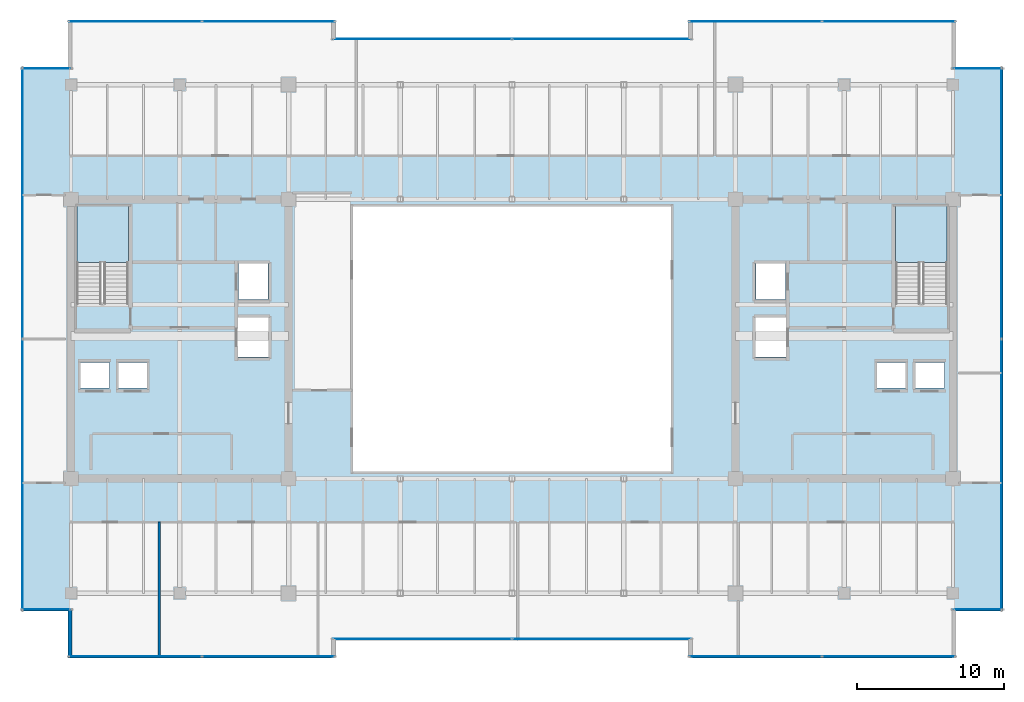
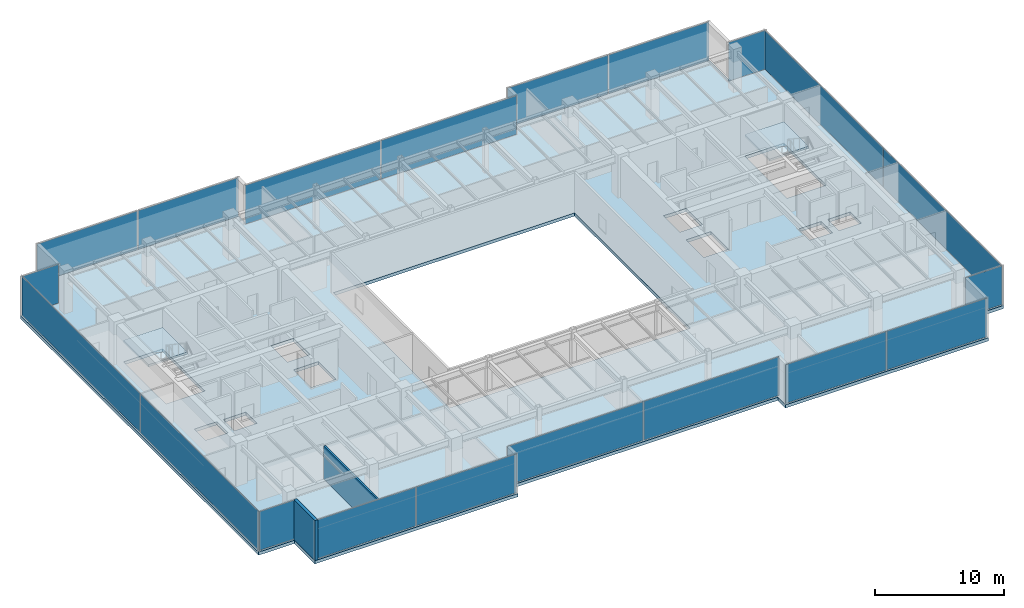
# One storey, part 27 of 36: 20 plates, 3 slabs, 2 walls, 14 elements without a shape of their own.
"""IFC4 building model written with IfcOpenShell, lengths in metres."""

from ifc_helpers import new_model, si_unit, direction, frame, frame_2d, origin, origin_2d, place, context, subcontext, project, spatial, polyline, rectangle, outline, extrude, source, transform, mapped, material, layer, layer_set, type_object, type_shapes, element, aggregate, save


model = new_model("IFC4")

# Units and contexts
model_context = context("Model", 3, precision=1e-05, world=origin(), true_north=direction((0.0, 1.0)))
body_context = subcontext(model_context, "Body", "Model", "MODEL_VIEW")
ifc_project = project(units=[si_unit("LENGTHUNIT", "METRE"), si_unit("AREAUNIT", "SQUARE_METRE"), si_unit("VOLUMEUNIT", "CUBIC_METRE"), si_unit("PLANEANGLEUNIT", "RADIAN"), si_unit("MASSUNIT", "GRAM", prefix="KILO")], contexts=[model_context])

# Site, building, storey
site_placement = place(None, origin())
site = spatial("IfcSite", under=ifc_project, at=site_placement, CompositionType="ELEMENT")
building_placement = place(site_placement, origin())
building = spatial("IfcBuilding", under=site, at=building_placement, Name="Haelvirn Gate Laboratories", CompositionType="ELEMENT")
storey_placement = place(building_placement, frame((0.0, 0.0, 262.89990234375)))
storey = spatial("IfcBuildingStorey", under=building, at=storey_placement, Name="L63", CompositionType="ELEMENT", Elevation=262.89990234375)

# Stair, slab
ifc_material_1 = material(Name="Concrete C40/50", Category="concrete")
stair_type = type_object("IfcStairType", Name="ST-DOG-1650-R22", PredefinedType="HALF_TURN_STAIR", material=ifc_material_1)
stair_1_placement = place(storey_placement, origin())
stair_1 = element("IfcStair", 1, at=stair_1_placement, inside=storey, type_object=stair_type, Name="L63 Escape Stair ST1", PredefinedType="HALF_TURN_STAIR")
ifc_layer_1 = layer(ifc_material_1, 0.199951171875, Name="SL-STAIR-LND")
ifc_layer_set_1 = layer_set([ifc_layer_1], Name="Concrete C40/50")
slab_type_1 = type_object("IfcSlabType", Name="SL-STAIR-LND", PredefinedType="LANDING", material=ifc_layer_set_1)
slab_1_placement = place(storey_placement, frame((0.0, 0.0, 1.85009765625)))
slab_1 = element("IfcSlab", 2, at=slab_1_placement, type_object=slab_type_1, Name="ST1 landing 1", PredefinedType="LANDING", context=body_context, shape_type="SweptSolid", body=[
    extrude(outline(polyline([(11.300048828125, 29.5), (11.300048828125, 33.35009765625), (7.800048828125, 33.35009765625), (7.800048828125, 29.5), (11.300048828125, 29.5)])), origin(), (0.0, 0.0, 1.0), 0.199951171875),
])
aggregate(stair_1, [slab_1])

stair_2_placement = place(storey_placement, origin())
stair_2 = element("IfcStair", 3, at=stair_2_placement, inside=storey, type_object=stair_type, Name="L63 Escape Stair ST2", PredefinedType="HALF_TURN_STAIR")
slab_2_placement = place(storey_placement, frame((0.0, 0.0, 1.85009765625)))
slab_2 = element("IfcSlab", 4, at=slab_2_placement, type_object=slab_type_1, Name="ST2 landing 1", PredefinedType="LANDING", context=body_context, shape_type="SweptSolid", body=[
    extrude(outline(polyline([(67.0, 29.5), (67.0, 33.35009765625), (63.5, 33.35009765625), (63.5, 29.5), (67.0, 29.5)])), origin(), (0.0, 0.0, 1.0), 0.199951171875),
])
aggregate(stair_2, [slab_2])

# Slab
ifc_layer_2 = layer(ifc_material_1, 0.300048828125, Name="SL-Z3-300")
ifc_layer_set_2 = layer_set([ifc_layer_2], Name="Concrete C40/50")
slab_type_2 = type_object("IfcSlabType", Name="SL-Z3-300", PredefinedType="FLOOR", material=ifc_layer_set_2)
slab_3_placement = place(storey_placement, frame((0.0, 0.0, -0.2998046875)))
element("IfcSlab", 5, at=slab_3_placement, inside=storey, type_object=slab_type_2, Name="L63 Structural Slab MAIN", PredefinedType="FLOOR", context=body_context, shape_type="SweptSolid", body=[
    extrude(outline(polyline([(7.199951171875, 2.60009765625), (25.39990234375, 2.60009765625), (25.39990234375, 3.800048828125), (49.39990234375, 3.800048828125), (49.39990234375, 2.60009765625), (67.60009765625, 2.60009765625), (67.60009765625, 5.800048828125), (70.800048828125, 5.800048828125), (70.800048828125, 42.800048828125), (67.60009765625, 42.800048828125), (67.60009765625, 46.0), (49.39990234375, 46.0), (49.39990234375, 44.800048828125), (25.39990234375, 44.800048828125), (25.39990234375, 46.0), (7.199951171875, 46.0), (7.199951171875, 42.800048828125), (4.0, 42.800048828125), (4.0, 5.800048828125), (7.199951171875, 5.800048828125), (7.199951171875, 2.60009765625)]), holes=[polyline([(26.60009765625, 15.300048828125), (48.199951171875, 15.300048828125), (48.199951171875, 33.300048828125), (26.60009765625, 33.300048828125), (26.60009765625, 15.300048828125)]), polyline([(11.300048828125, 26.780029296875), (11.300048828125, 33.35009765625), (7.800048828125, 33.35009765625), (7.800048828125, 26.780029296875), (11.300048828125, 26.780029296875)]), polyline([(67.0, 26.780029296875), (67.0, 33.35009765625), (63.5, 33.35009765625), (63.5, 26.780029296875), (67.0, 26.780029296875)]), polyline([(7.989990234375, 20.969970703125), (10.010009765625, 20.969970703125), (10.010009765625, 22.7099609375), (7.989990234375, 22.7099609375), (7.989990234375, 20.969970703125)]), polyline([(10.590087890625, 20.969970703125), (12.610107421875, 20.969970703125), (12.610107421875, 22.7099609375), (10.590087890625, 22.7099609375), (10.590087890625, 20.969970703125)]), polyline([(18.7900390625, 26.969970703125), (20.81005859375, 26.969970703125), (20.81005859375, 29.510009765625), (18.7900390625, 29.510009765625), (18.7900390625, 26.969970703125)]), polyline([(18.68994140625, 23.070068359375), (20.909912109375, 23.070068359375), (20.909912109375, 25.81005859375), (18.68994140625, 25.81005859375), (18.68994140625, 23.070068359375)]), polyline([(64.7900390625, 20.969970703125), (66.81005859375, 20.969970703125), (66.81005859375, 22.7099609375), (64.7900390625, 22.7099609375), (64.7900390625, 20.969970703125)]), polyline([(62.18994140625, 20.969970703125), (64.2099609375, 20.969970703125), (64.2099609375, 22.7099609375), (62.18994140625, 22.7099609375), (62.18994140625, 20.969970703125)]), polyline([(53.989990234375, 26.969970703125), (56.010009765625, 26.969970703125), (56.010009765625, 29.510009765625), (53.989990234375, 29.510009765625), (53.989990234375, 26.969970703125)]), polyline([(53.889892578125, 23.070068359375), (56.110107421875, 23.070068359375), (56.110107421875, 25.81005859375), (53.889892578125, 25.81005859375), (53.889892578125, 23.070068359375)])]), origin(), (0.0, 0.0, 1.0), 0.2998046875),
])

# Curtain wall, plates
ifc_material_2 = material(Name="Anodised bronze unitised aluminium & triple low-E glass", Category="aluminium")
ifc_layer_3 = layer(ifc_material_2, 0.176025390625, Name="CW-SYS-4")
ifc_layer_set_3 = layer_set([ifc_layer_3], Name="Anodised bronze unitised aluminium & triple low-E glass")
curtain_wall_type_1 = type_object("IfcCurtainWallType", Name="CW-SYS-4", PredefinedType="NOTDEFINED", material=ifc_layer_set_3)
curtain_wall_1_placement = place(storey_placement, origin())
curtain_wall_1 = element("IfcCurtainWall", 6, at=curtain_wall_1_placement, inside=storey, type_object=curtain_wall_type_1, Name="L63 Unitised Curtain Wall CW-L63-P0-E00-1", PredefinedType="NOTDEFINED")
ifc_material_3 = material(Name="Acoustic laminated bronze triple IGU 36 mm", Category="glass")
ifc_layer_4 = layer(ifc_material_3, 0.035888671875, Name="CWP-IGU-36")
ifc_layer_set_4 = layer_set([ifc_layer_4], Name="Acoustic laminated bronze triple IGU 36 mm")
plate_type_1 = type_object("IfcPlateType", Name="CWP-IGU-36", PredefinedType="CURTAIN_PANEL", material=ifc_layer_set_4)
shared_shape_1 = source(origin(), body_context, "Body", "SweptSolid", [
    extrude(rectangle(XDim=8.9951171875, YDim=0.035888671875, at=origin_2d()), origin(), (0.0, 0.0, 1.0), 3.669921875),
])
plate_1_placement = place(storey_placement, frame((11.767578125, 2.699951171875, 0.065185546875), z_axis=(0.0, 0.0, 1.0), x_axis=(1.0, 0.0, 0.0)))
plate_1 = element("IfcPlate", 7, at=plate_1_placement, type_object=plate_type_1, Name="CW4 panel 1.1", PredefinedType="CURTAIN_PANEL", context=body_context, shape_type="MappedRepresentation", body=[
    mapped(shared_shape_1, transform((0.0, 0.0, 0.0), scale=1.0)),
])
plate_2_placement = place(storey_placement, frame((20.83251953125, 2.699951171875, 0.065185546875), z_axis=(0.0, 0.0, 1.0), x_axis=(1.0, 0.0, 0.0)))
plate_2 = element("IfcPlate", 8, at=plate_2_placement, type_object=plate_type_1, Name="CW4 panel 2.1", PredefinedType="CURTAIN_PANEL", context=body_context, shape_type="MappedRepresentation", body=[
    mapped(shared_shape_1, transform((0.0, 0.0, 0.0), scale=1.0)),
])
aggregate(curtain_wall_1, [plate_1, plate_2])

curtain_wall_2_placement = place(storey_placement, origin())
curtain_wall_2 = element("IfcCurtainWall", 9, at=curtain_wall_2_placement, inside=storey, type_object=curtain_wall_type_1, Name="L63 Unitised Curtain Wall CW-L63-P0-E04-1", PredefinedType="NOTDEFINED")
plate_3_placement = place(storey_placement, frame((53.967529296875, 2.699951171875, 0.065185546875), z_axis=(0.0, 0.0, 1.0), x_axis=(1.0, 0.0, 0.0)))
plate_3 = element("IfcPlate", 10, at=plate_3_placement, type_object=plate_type_1, Name="CW4 panel 1.1", PredefinedType="CURTAIN_PANEL", context=body_context, shape_type="MappedRepresentation", body=[
    mapped(shared_shape_1, transform((0.0, 0.0, 0.0), scale=1.0)),
])
plate_4_placement = place(storey_placement, frame((63.032470703125, 2.699951171875, 0.065185546875), z_axis=(0.0, 0.0, 1.0), x_axis=(1.0, 0.0, 0.0)))
plate_4 = element("IfcPlate", 11, at=plate_4_placement, type_object=plate_type_1, Name="CW4 panel 2.1", PredefinedType="CURTAIN_PANEL", context=body_context, shape_type="MappedRepresentation", body=[
    mapped(shared_shape_1, transform((0.0, 0.0, 0.0), scale=1.0)),
])
aggregate(curtain_wall_2, [plate_3, plate_4])

curtain_wall_3_placement = place(storey_placement, origin())
curtain_wall_3 = element("IfcCurtainWall", 12, at=curtain_wall_3_placement, inside=storey, type_object=curtain_wall_type_1, Name="L63 Unitised Curtain Wall CW-L63-P0-E10-1", PredefinedType="NOTDEFINED")
plate_5_placement = place(storey_placement, frame((53.967529296875, 45.89990234375, 0.065185546875), z_axis=(0.0, 0.0, 1.0), x_axis=(1.0, 0.0, 0.0)))
plate_5 = element("IfcPlate", 13, at=plate_5_placement, type_object=plate_type_1, Name="CW4 panel 1.1", PredefinedType="CURTAIN_PANEL", context=body_context, shape_type="MappedRepresentation", body=[
    mapped(shared_shape_1, transform((0.0, 0.0, 0.0), scale=1.0)),
])
plate_6_placement = place(storey_placement, frame((63.032470703125, 45.89990234375, 0.065185546875), z_axis=(0.0, 0.0, 1.0), x_axis=(1.0, 0.0, 0.0)))
plate_6 = element("IfcPlate", 14, at=plate_6_placement, type_object=plate_type_1, Name="CW4 panel 2.1", PredefinedType="CURTAIN_PANEL", context=body_context, shape_type="MappedRepresentation", body=[
    mapped(shared_shape_1, transform((0.0, 0.0, 0.0), scale=1.0)),
])
aggregate(curtain_wall_3, [plate_5, plate_6])

curtain_wall_4_placement = place(storey_placement, origin())
curtain_wall_4 = element("IfcCurtainWall", 15, at=curtain_wall_4_placement, inside=storey, type_object=curtain_wall_type_1, Name="L63 Unitised Curtain Wall CW-L63-P0-E14-1", PredefinedType="NOTDEFINED")
plate_7_placement = place(storey_placement, frame((11.767578125, 45.89990234375, 0.065185546875), z_axis=(0.0, 0.0, 1.0), x_axis=(1.0, 0.0, 0.0)))
plate_7 = element("IfcPlate", 16, at=plate_7_placement, type_object=plate_type_1, Name="CW4 panel 1.1", PredefinedType="CURTAIN_PANEL", context=body_context, shape_type="MappedRepresentation", body=[
    mapped(shared_shape_1, transform((0.0, 0.0, 0.0), scale=1.0)),
])
plate_8_placement = place(storey_placement, frame((20.83251953125, 45.89990234375, 0.065185546875), z_axis=(0.0, 0.0, 1.0), x_axis=(1.0, 0.0, 0.0)))
plate_8 = element("IfcPlate", 17, at=plate_8_placement, type_object=plate_type_1, Name="CW4 panel 2.1", PredefinedType="CURTAIN_PANEL", context=body_context, shape_type="MappedRepresentation", body=[
    mapped(shared_shape_1, transform((0.0, 0.0, 0.0), scale=1.0)),
])
aggregate(curtain_wall_4, [plate_7, plate_8])

curtain_wall_5_placement = place(storey_placement, origin())
curtain_wall_5 = element("IfcCurtainWall", 18, at=curtain_wall_5_placement, inside=storey, type_object=curtain_wall_type_1, Name="L63 Unitised Curtain Wall CW-L63-P0-E02-1", PredefinedType="NOTDEFINED")
shared_shape_2 = source(origin(), body_context, "Body", "SweptSolid", [
    extrude(rectangle(XDim=12.135009765625, YDim=0.035888671875, at=origin_2d()), origin(), (0.0, 0.0, 1.0), 3.669921875),
])
plate_9_placement = place(storey_placement, frame((31.297607421875, 3.89990234375, 0.065185546875), z_axis=(0.0, 0.0, 1.0), x_axis=(1.0, 0.0, 0.0)))
plate_9 = element("IfcPlate", 19, at=plate_9_placement, type_object=plate_type_1, Name="CW4 panel 1.1", PredefinedType="CURTAIN_PANEL", context=body_context, shape_type="MappedRepresentation", body=[
    mapped(shared_shape_2, transform((0.0, 0.0, 0.0), scale=1.0)),
])
plate_10_placement = place(storey_placement, frame((43.50244140625, 3.89990234375, 0.065185546875), z_axis=(0.0, 0.0, 1.0), x_axis=(1.0, 0.0, 0.0)))
plate_10 = element("IfcPlate", 20, at=plate_10_placement, type_object=plate_type_1, Name="CW4 panel 2.1", PredefinedType="CURTAIN_PANEL", context=body_context, shape_type="MappedRepresentation", body=[
    mapped(shared_shape_2, transform((0.0, 0.0, 0.0), scale=1.0)),
])
aggregate(curtain_wall_5, [plate_9, plate_10])

curtain_wall_6_placement = place(storey_placement, origin())
curtain_wall_6 = element("IfcCurtainWall", 21, at=curtain_wall_6_placement, inside=storey, type_object=curtain_wall_type_1, Name="L63 Unitised Curtain Wall CW-L63-P0-E12-1", PredefinedType="NOTDEFINED")
plate_11_placement = place(storey_placement, frame((31.297607421875, 44.699951171875, 0.065185546875), z_axis=(0.0, 0.0, 1.0), x_axis=(1.0, 0.0, 0.0)))
plate_11 = element("IfcPlate", 22, at=plate_11_placement, type_object=plate_type_1, Name="CW4 panel 1.1", PredefinedType="CURTAIN_PANEL", context=body_context, shape_type="MappedRepresentation", body=[
    mapped(shared_shape_2, transform((0.0, 0.0, 0.0), scale=1.0)),
])
plate_12_placement = place(storey_placement, frame((43.50244140625, 44.699951171875, 0.065185546875), z_axis=(0.0, 0.0, 1.0), x_axis=(1.0, 0.0, 0.0)))
plate_12 = element("IfcPlate", 23, at=plate_12_placement, type_object=plate_type_1, Name="CW4 panel 2.1", PredefinedType="CURTAIN_PANEL", context=body_context, shape_type="MappedRepresentation", body=[
    mapped(shared_shape_2, transform((0.0, 0.0, 0.0), scale=1.0)),
])
aggregate(curtain_wall_6, [plate_11, plate_12])

# Curtain wall, plate
ifc_layer_5 = layer(ifc_material_2, 0.181884765625, Name="CW-SYS-5")
ifc_layer_set_5 = layer_set([ifc_layer_5], Name="Anodised bronze unitised aluminium & triple low-E glass")
curtain_wall_type_2 = type_object("IfcCurtainWallType", Name="CW-SYS-5", PredefinedType="NOTDEFINED", material=ifc_layer_set_5)
curtain_wall_7_placement = place(storey_placement, origin())
curtain_wall_7 = element("IfcCurtainWall", 24, at=curtain_wall_7_placement, inside=storey, type_object=curtain_wall_type_2, Name="L63 Unitised Curtain Wall CW-L63-P0-E06-1", PredefinedType="NOTDEFINED")
ifc_material_4 = material(Name="Clear low-iron notched-corner triple IGU 42 mm", Category="glass")
ifc_layer_6 = layer(ifc_material_4, 0.0419921875, Name="CWP-NTC-42")
ifc_layer_set_6 = layer_set([ifc_layer_6], Name="Clear low-iron notched-corner triple IGU 42 mm")
plate_type_2 = type_object("IfcPlateType", Name="CWP-NTC-42", PredefinedType="CURTAIN_PANEL", material=ifc_layer_set_6)
shared_shape_3 = source(origin(), body_context, "Body", "SweptSolid", [
    extrude(rectangle(XDim=3.280029296875, YDim=0.0419921875, at=origin_2d()), origin(), (0.0, 0.0, 1.0), 3.669921875),
])
type_shapes(plate_type_2, [shared_shape_3])
plate_13_placement = place(storey_placement, frame((69.080078125, 5.89990234375, 0.065185546875), z_axis=(0.0, 0.0, 1.0), x_axis=(1.0, 0.0, 0.0)))
plate_13 = element("IfcPlate", 25, at=plate_13_placement, type_object=plate_type_2, Name="CW5 panel 1.1", PredefinedType="CURTAIN_PANEL", context=body_context, shape_type="MappedRepresentation", body=[
    mapped(shared_shape_3, transform((0.0, 0.0, 0.0), scale=1.0)),
])
aggregate(curtain_wall_7, [plate_13])

curtain_wall_8_placement = place(storey_placement, origin())
curtain_wall_8 = element("IfcCurtainWall", 26, at=curtain_wall_8_placement, inside=storey, type_object=curtain_wall_type_2, Name="L63 Unitised Curtain Wall CW-L63-P0-E08-1", PredefinedType="NOTDEFINED")
plate_14_placement = place(storey_placement, frame((69.080078125, 42.699951171875, 0.065185546875), z_axis=(0.0, 0.0, 1.0), x_axis=(1.0, 0.0, 0.0)))
plate_14 = element("IfcPlate", 27, at=plate_14_placement, type_object=plate_type_2, Name="CW5 panel 1.1", PredefinedType="CURTAIN_PANEL", context=body_context, shape_type="MappedRepresentation", body=[
    mapped(shared_shape_3, transform((0.0, 0.0, 0.0), scale=1.0)),
])
aggregate(curtain_wall_8, [plate_14])

curtain_wall_9_placement = place(storey_placement, origin())
curtain_wall_9 = element("IfcCurtainWall", 28, at=curtain_wall_9_placement, inside=storey, type_object=curtain_wall_type_2, Name="L63 Unitised Curtain Wall CW-L63-P0-E16-1", PredefinedType="NOTDEFINED")
plate_15_placement = place(storey_placement, frame((5.719970703125, 42.699951171875, 0.065185546875), z_axis=(0.0, 0.0, 1.0), x_axis=(1.0, 0.0, 0.0)))
plate_15 = element("IfcPlate", 29, at=plate_15_placement, type_object=plate_type_2, Name="CW5 panel 1.1", PredefinedType="CURTAIN_PANEL", context=body_context, shape_type="MappedRepresentation", body=[
    mapped(shared_shape_3, transform((0.0, 0.0, 0.0), scale=1.0)),
])
aggregate(curtain_wall_9, [plate_15])

curtain_wall_10_placement = place(storey_placement, origin())
curtain_wall_10 = element("IfcCurtainWall", 30, at=curtain_wall_10_placement, inside=storey, type_object=curtain_wall_type_2, Name="L63 Unitised Curtain Wall CW-L63-P0-E18-1", PredefinedType="NOTDEFINED")
plate_16_placement = place(storey_placement, frame((5.719970703125, 5.89990234375, 0.065185546875), z_axis=(0.0, 0.0, 1.0), x_axis=(1.0, 0.0, 0.0)))
plate_16 = element("IfcPlate", 31, at=plate_16_placement, type_object=plate_type_2, Name="CW5 panel 1.1", PredefinedType="CURTAIN_PANEL", context=body_context, shape_type="MappedRepresentation", body=[
    mapped(shared_shape_3, transform((0.0, 0.0, 0.0), scale=1.0)),
])
aggregate(curtain_wall_10, [plate_16])

# Curtain wall, plates
curtain_wall_11_placement = place(storey_placement, origin())
curtain_wall_11 = element("IfcCurtainWall", 32, at=curtain_wall_11_placement, inside=storey, type_object=curtain_wall_type_1, Name="L63 Unitised Curtain Wall CW-L63-P0-E07", PredefinedType="NOTDEFINED")
shared_shape_4 = source(origin(), body_context, "Body", "SweptSolid", [
    extrude(rectangle(XDim=18.39501953125, YDim=0.035888671875, at=origin_2d()), origin(), (0.0, 0.0, 1.0), 3.669921875),
])
type_shapes(plate_type_1, [shared_shape_1, shared_shape_2, shared_shape_4])
plate_17_placement = place(storey_placement, frame((70.699951171875, 15.0673828125, 0.065185546875), z_axis=(0.0, 0.0, 1.0), x_axis=(0.0, 1.0, 0.0)))
plate_17 = element("IfcPlate", 33, at=plate_17_placement, type_object=plate_type_1, Name="CW4 panel 1.1", PredefinedType="CURTAIN_PANEL", context=body_context, shape_type="MappedRepresentation", body=[
    mapped(shared_shape_4, transform((0.0, 0.0, 0.0), scale=1.0)),
])
plate_18_placement = place(storey_placement, frame((70.699951171875, 33.532470703125, 0.065185546875), z_axis=(0.0, 0.0, 1.0), x_axis=(0.0, 1.0, 0.0)))
plate_18 = element("IfcPlate", 34, at=plate_18_placement, type_object=plate_type_1, Name="CW4 panel 2.1", PredefinedType="CURTAIN_PANEL", context=body_context, shape_type="MappedRepresentation", body=[
    mapped(shared_shape_4, transform((0.0, 0.0, 0.0), scale=1.0)),
])
aggregate(curtain_wall_11, [plate_17, plate_18])

curtain_wall_12_placement = place(storey_placement, origin())
curtain_wall_12 = element("IfcCurtainWall", 35, at=curtain_wall_12_placement, inside=storey, type_object=curtain_wall_type_1, Name="L63 Unitised Curtain Wall CW-L63-P0-E17", PredefinedType="NOTDEFINED")
plate_19_placement = place(storey_placement, frame((4.10009765625, 33.532470703125, 0.065185546875), z_axis=(0.0, 0.0, 1.0), x_axis=(0.0, -1.0, 0.0)))
plate_19 = element("IfcPlate", 36, at=plate_19_placement, type_object=plate_type_1, Name="CW4 panel 1.1", PredefinedType="CURTAIN_PANEL", context=body_context, shape_type="MappedRepresentation", body=[
    mapped(shared_shape_4, transform((0.0, 0.0, 0.0), scale=1.0)),
])
plate_20_placement = place(storey_placement, frame((4.10009765625, 15.0673828125, 0.065185546875), z_axis=(0.0, 0.0, 1.0), x_axis=(0.0, -1.0, 0.0)))
plate_20 = element("IfcPlate", 37, at=plate_20_placement, type_object=plate_type_1, Name="CW4 panel 2.1", PredefinedType="CURTAIN_PANEL", context=body_context, shape_type="MappedRepresentation", body=[
    mapped(shared_shape_4, transform((0.0, 0.0, 0.0), scale=1.0)),
])
aggregate(curtain_wall_12, [plate_19, plate_20])

# Walls
ifc_material_5 = material(Name="Thermally-broken bronze aluminium rainscreen & mineral wool", Category="aluminium")
ifc_layer_7 = layer(ifc_material_5, 0.280029296875, Name="EW-TERR-280")
ifc_layer_set_7 = layer_set([ifc_layer_7], Name="Thermally-broken bronze aluminium rainscreen & mineral wool")
wall_type_1 = type_object("IfcWallType", Name="EW-TERR-280", PredefinedType="STANDARD", material=ifc_layer_set_7)
wall_1_placement = place(storey_placement, frame((7.340087890625, 5.887939453125, 0.0), z_axis=(0.0, 0.0, 1.0), x_axis=(0.0, -1.0, 0.0)))
element("IfcWall", 38, at=wall_1_placement, inside=storey, type_object=wall_type_1, Name="L63 Atrium Recess Bronze Return Wall 19", PredefinedType="STANDARD", context=body_context, shape_type="SweptSolid", body=[
    extrude(rectangle(XDim=3.287841796875, YDim=0.280029296875, at=frame_2d((1.64404296875, 0.0))), origin(), (0.0, 0.0, 1.0), 3.800048828125),
])
ifc_material_6 = material(Name="Double-layer acoustic gypsum laboratory partition", Category="gypsum")
ifc_layer_8 = layer(ifc_material_6, 0.159912109375, Name="IW-ACOUST-160")
ifc_layer_set_8 = layer_set([ifc_layer_8], Name="Double-layer acoustic gypsum laboratory partition")
wall_type_2 = type_object("IfcWallType", Name="IW-ACOUST-160", PredefinedType="PARTITIONING", material=ifc_layer_set_8)
wall_2_placement = place(storey_placement, frame((13.39990234375, 2.7099609375, 0.0), z_axis=(0.0, 0.0, 1.0), x_axis=(0.0, 1.0, 0.0)))
element("IfcWall", 39, at=wall_2_placement, inside=storey, type_object=wall_type_2, Name="L63 Interior Wall IW-L63-SDIV-01", PredefinedType="PARTITIONING", context=body_context, shape_type="SweptSolid", body=[
    extrude(rectangle(XDim=9.130126953125, YDim=0.159912109375, at=frame_2d((4.56494140625, 0.0))), origin(), (0.0, 0.0, 1.0), 3.135009765625),
])

save(model, "model.ifc")
